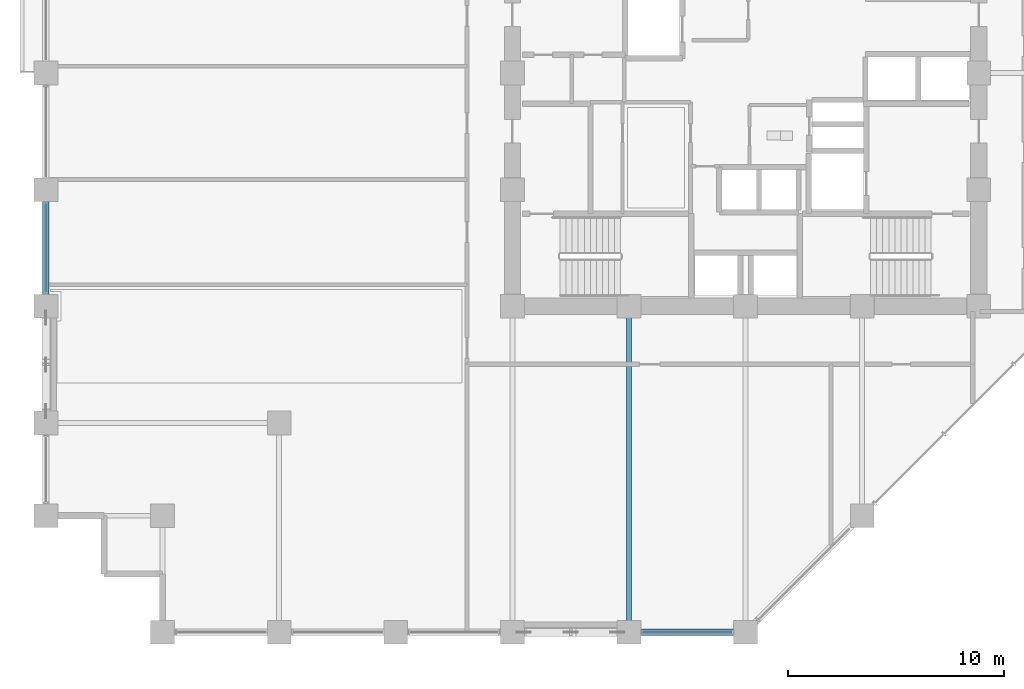
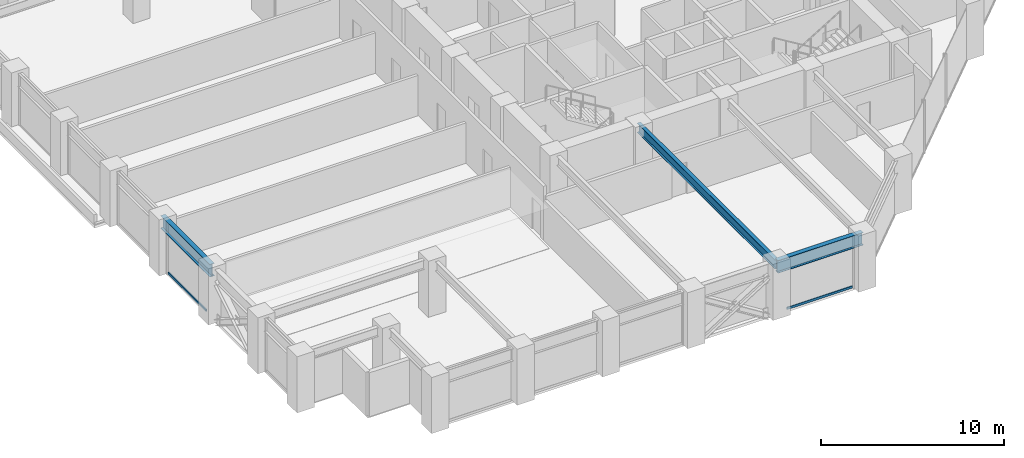
# One storey, part 5 of 24: 3 beams, 2 members, 2 elements without a shape of their own.
"""IFC4 building model written with IfcOpenShell, lengths in metres."""

from ifc_helpers import new_model, si_unit, direction, frame, origin, origin_2d, place, context, subcontext, project, spatial, hollow_rectangle, i_section, extrude, material, layer, layer_set, material_profile, profile_set, type_object, element, aggregate, save


model = new_model("IFC4")

# Units and contexts
model_context = context("Model", 3, precision=1e-05, world=origin(), true_north=direction((0.0, 1.0)))
body_context = subcontext(model_context, "Body", "Model", "MODEL_VIEW")
ifc_project = project(units=[si_unit("LENGTHUNIT", "METRE"), si_unit("AREAUNIT", "SQUARE_METRE"), si_unit("VOLUMEUNIT", "CUBIC_METRE"), si_unit("PLANEANGLEUNIT", "RADIAN"), si_unit("MASSUNIT", "GRAM", prefix="KILO")], contexts=[model_context])

# Site, building, storey
site_placement = place(None, origin())
site = spatial("IfcSite", under=ifc_project, at=site_placement, CompositionType="ELEMENT")
building_placement = place(site_placement, origin())
building = spatial("IfcBuilding", under=site, at=building_placement, Name="Surkhivell Harbour Commons", CompositionType="ELEMENT")
storey_placement = place(building_placement, frame((0.0, 0.0, 105.75)))
storey = spatial("IfcBuildingStorey", under=building, at=storey_placement, Name="L27", CompositionType="ELEMENT", Elevation=105.75)

# Beams
ifc_material_1 = material(Name="Steel S355", Category="steel")
ifc_material_profile_1 = material_profile(ifc_material_1, i_section(OverallWidth=0.22998046875, OverallDepth=0.616943359375, WebThickness=0.01318359375, FlangeThickness=0.022216796875, at=origin_2d()), Name="UB610x229x140")
ifc_profile_set_1 = profile_set([ifc_material_profile_1], Name="Steel S355")
beam_type_1 = type_object("IfcBeamType", Name="BM-GRD-610B", PredefinedType="BEAM", material=ifc_profile_set_1)
beam_1_placement = place(storey_placement, frame((-5.39990234375, -25.89990234375, 3.261474609375), z_axis=(0.0, 1.0, 0.0), x_axis=(-1.0, 0.0, 0.0)))
element("IfcBeam", 1, at=beam_1_placement, inside=storey, type_object=beam_type_1, Name="L27 Floor Girder (-5.4,-25.9)", PredefinedType="BEAM", context=body_context, shape_type="SweptSolid", body=[
    extrude(i_section(OverallWidth=0.22998046875, OverallDepth=0.616943359375, WebThickness=0.01318359375, FlangeThickness=0.022216796875, at=origin_2d()), origin(), (0.0, 0.0, 1.0), 15.099853515625),
])
ifc_material_2 = material(Name="Steel S460", Category="steel")
ifc_material_profile_2 = material_profile(ifc_material_2, i_section(OverallWidth=0.2939453125, OverallDepth=0.85107421875, WebThickness=0.01611328125, FlangeThickness=0.02685546875, at=origin_2d()), Name="UB838x292x226")
ifc_profile_set_2 = profile_set([ifc_material_profile_2], Name="Steel S460")
beam_type_2 = type_object("IfcBeamType", Name="BM-SPN-838", PredefinedType="SPANDREL", material=ifc_profile_set_2)
beam_2_placement = place(storey_placement, frame((-32.39990234375, -10.800048828125, 3.14453125), z_axis=(0.0, 1.0, 0.0), x_axis=(-1.0, 0.0, 0.0)))
element("IfcBeam", 2, at=beam_2_placement, inside=storey, type_object=beam_type_2, Name="L27 Tube Spandrel (-32.4,-10.8)", PredefinedType="SPANDREL", context=body_context, shape_type="SweptSolid", body=[
    extrude(i_section(OverallWidth=0.2939453125, OverallDepth=0.85107421875, WebThickness=0.01611328125, FlangeThickness=0.02685546875, at=origin_2d()), origin(), (0.0, 0.0, 1.0), 5.400146484375),
])
beam_3_placement = place(storey_placement, frame((-5.39990234375, -25.89990234375, 3.14453125), z_axis=(1.0, 0.0, 0.0), x_axis=(0.0, 1.0, 0.0)))
element("IfcBeam", 3, at=beam_3_placement, inside=storey, type_object=beam_type_2, Name="L27 Tube Spandrel (-5.4,-25.9)", PredefinedType="SPANDREL", context=body_context, shape_type="SweptSolid", body=[
    extrude(i_section(OverallWidth=0.2939453125, OverallDepth=0.85107421875, WebThickness=0.01611328125, FlangeThickness=0.02685546875, at=origin_2d()), origin(), (0.0, 0.0, 1.0), 5.39990234375),
])

# Curtain wall, member
ifc_material_3 = material(Name="Anodised pale-metal aluminium and insulated glazing", Category="aluminium")
ifc_layer = layer(ifc_material_3, 0.205078125)
ifc_layer_set = layer_set([ifc_layer], Name="Anodised pale-metal aluminium and insulated glazing")
curtain_wall_type = type_object("IfcCurtainWallType", Name="CW-SYS-Z2", PredefinedType="NOTDEFINED", material=ifc_layer_set)
curtain_wall_1_placement = place(storey_placement, origin())
curtain_wall_1 = element("IfcCurtainWall", 4, at=curtain_wall_1_placement, inside=storey, type_object=curtain_wall_type, Name="L27 Curtain Wall CW-L27-E00S2", PredefinedType="NOTDEFINED")
ifc_material_4 = material(Name="Anodised pale-metal aluminium alloy 6063-T6", Category="aluminium")
ifc_material_profile_3 = material_profile(ifc_material_4, hollow_rectangle(XDim=0.074951171875, YDim=0.14990234375, WallThickness=0.00341796875, at=origin_2d()), Name="ALU-TRAN-75x150")
ifc_profile_set_3 = profile_set([ifc_material_profile_3], Name="Anodised pale-metal aluminium alloy 6063-T6")
member_type = type_object("IfcMemberType", Name="CWT-150", PredefinedType="USERDEFINED", material=ifc_profile_set_3)
member_1_placement = place(storey_placement, frame((-4.77294921875, -25.89990234375, 0.074951171875), z_axis=(1.0, 0.0, 0.0), x_axis=(0.0, 1.0, 0.0)))
member_1 = element("IfcMember", 5, at=member_1_placement, type_object=member_type, Name="CW-Z2 transom 1.1", ObjectType="TRANSOM", PredefinedType="USERDEFINED", context=body_context, shape_type="SweptSolid", body=[
    extrude(hollow_rectangle(XDim=0.074951171875, YDim=0.14990234375, WallThickness=0.00341796875, at=origin_2d()), origin(), (0.0, 0.0, 1.0), 4.14599609375),
])
aggregate(curtain_wall_1, [member_1])

curtain_wall_2_placement = place(storey_placement, origin())
curtain_wall_2 = element("IfcCurtainWall", 6, at=curtain_wall_2_placement, inside=storey, type_object=curtain_wall_type, Name="L27 Curtain Wall CW-L27-E12S1", PredefinedType="NOTDEFINED")
member_2_placement = place(storey_placement, frame((-32.39990234375, -6.027099609375, 0.074951171875), z_axis=(0.0, -1.0, 0.0), x_axis=(1.0, 0.0, 0.0)))
member_2 = element("IfcMember", 7, at=member_2_placement, type_object=member_type, Name="CW-Z2 transom 6.1", ObjectType="TRANSOM", PredefinedType="USERDEFINED", context=body_context, shape_type="SweptSolid", body=[
    extrude(hollow_rectangle(XDim=0.074951171875, YDim=0.14990234375, WallThickness=0.00341796875, at=origin_2d()), origin(), (0.0, 0.0, 1.0), 4.14599609375),
])
aggregate(curtain_wall_2, [member_2])

save(model, "model.ifc")
